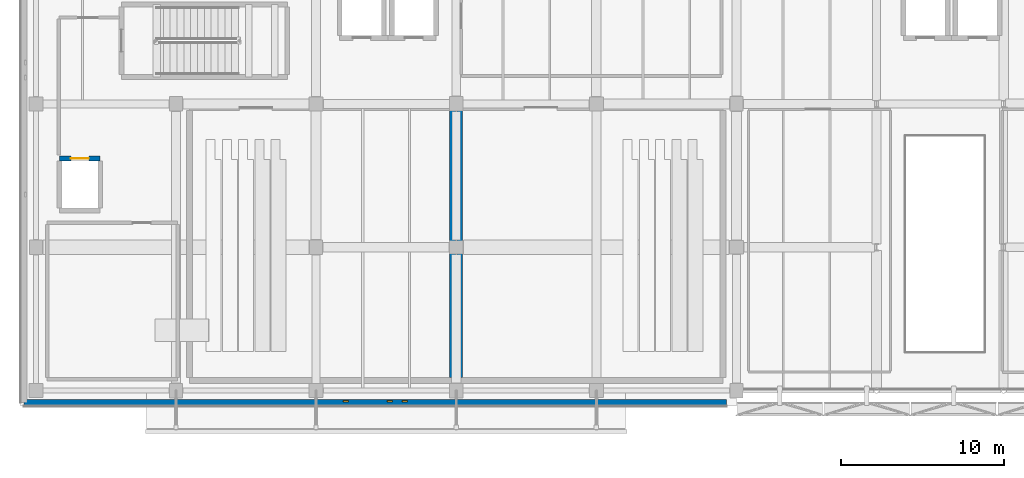
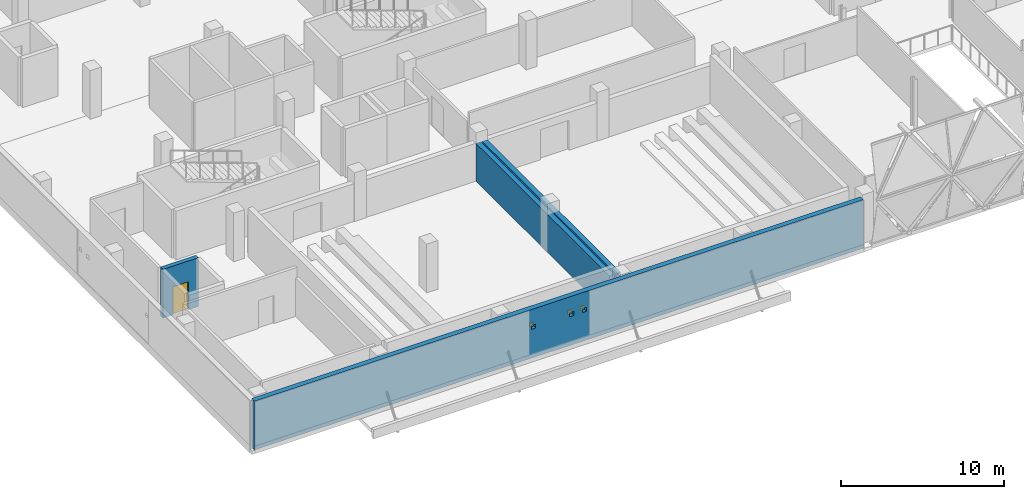
# One storey, part 58 of 80: 4 walls, 3 windows, 1 door, 4 openings.
"""IFC4 building model written with IfcOpenShell, lengths in metres."""

from ifc_helpers import new_model, si_unit, direction, frame, frame_2d, origin, place, context, subcontext, project, spatial, rectangle, extrude, material, layer, layer_set, type_object, element, fill, save


model = new_model("IFC4")

# Units and contexts
model_context = context("Model", 3, precision=1e-05, world=origin(), true_north=direction((0.0, 1.0)))
body_context = subcontext(model_context, "Body", "Model", "MODEL_VIEW")
ifc_project = project(units=[si_unit("LENGTHUNIT", "METRE"), si_unit("AREAUNIT", "SQUARE_METRE"), si_unit("VOLUMEUNIT", "CUBIC_METRE"), si_unit("PLANEANGLEUNIT", "RADIAN"), si_unit("MASSUNIT", "GRAM", prefix="KILO")], contexts=[model_context])

# Site, building, storey
site_placement = place(None, origin())
site = spatial("IfcSite", under=ifc_project, at=site_placement, CompositionType="ELEMENT")
building_placement = place(site_placement, origin())
building = spatial("IfcBuilding", under=site, at=building_placement, Name="Varnakota Cinema and Media Centre", CompositionType="ELEMENT")
storey_placement = place(building_placement, frame((0.0, 0.0, 4.5)))
storey = spatial("IfcBuildingStorey", under=building, at=storey_placement, Name="L01", CompositionType="ELEMENT", Elevation=4.5)

# Wall, opening, door
ifc_material_1 = material(Name="Concrete M40", Category="concrete")
ifc_layer_1 = layer(ifc_material_1, 0.300048828125)
ifc_layer_set_1 = layer_set([ifc_layer_1], Name="Concrete M40")
wall_type_1 = type_object("IfcWallType", Name="W-CORE-300", PredefinedType="SHEAR", material=ifc_layer_set_1)
wall_1_placement = place(storey_placement, frame((1.449951171875, 14.25, 0.0), z_axis=(0.0, 0.0, 1.0), x_axis=(1.0, 0.0, 0.0)))
wall_1 = element("IfcWall", 1, at=wall_1_placement, inside=storey, type_object=wall_type_1, Name="L01 LSHAFT-LF-01-L01 N wall", PredefinedType="SHEAR", context=body_context, shape_type="SweptSolid", body=[
    extrude(rectangle(XDim=2.5, YDim=0.300048828125, at=frame_2d((1.25, 0.0))), origin(), (0.0, 0.0, 1.0), 3.64990234375),
])
opening_1_placement = place(wall_1_placement, frame((0.699951171875, 0.0, 0.0)))
opening_1 = element("IfcOpeningElement", 2, at=opening_1_placement, cuts=wall_1, Name="Opening LD-01", PredefinedType="OPENING", context=body_context, shape_type="SweptSolid", body=[
    extrude(rectangle(XDim=1.10009765625, YDim=2.10009765625, at=frame_2d((0.550048828125, 1.050048828125))), frame((0.0, 0.14990234375, 0.0), z_axis=(0.0, -1.0, 0.0), x_axis=(1.0, 0.0, 0.0)), (0.0, 0.0, 1.0), 0.300048828125),
])
ifc_material_2 = material(Name="Thermally broken anodised aluminium AW-6063", Category="aluminium")
door_type = type_object("IfcDoorType", Name="DR-LIFT-1100x2100", OperationType="SLIDING_TO_LEFT", PredefinedType="DOOR", material=ifc_material_2)
door_placement = place(opening_1_placement, origin())
door = element("IfcDoor", 3, at=door_placement, inside=storey, type_object=door_type, Name="L01 door LD-01", OperationType="SLIDING_TO_LEFT", OverallHeight=2.10009765625, OverallWidth=1.10009765625, PredefinedType="DOOR", context=body_context, shape_type="SweptSolid", body=[
    extrude(rectangle(XDim=1.10009765625, YDim=2.10009765625, at=frame_2d((0.550048828125, 1.050048828125))), frame((0.0, 0.02490234375, 0.0), z_axis=(0.0, -1.0, 0.0), x_axis=(1.0, 0.0, 0.0)), (0.0, 0.0, 1.0), 0.050048828125),
])
fill(opening_1, door)

# Wall, openings, windows
ifc_material_3 = material(Name="Pale Tandur limestone cladding", Category="masonry")
ifc_layer_2 = layer(ifc_material_3, 0.360107421875)
ifc_layer_set_2 = layer_set([ifc_layer_2], Name="Pale Tandur limestone cladding")
wall_type_2 = type_object("IfcWallType", Name="W-EXT-TANDUR-360", PredefinedType="SOLIDWALL", material=ifc_layer_set_2)
wall_2_placement = place(storey_placement, frame((42.39990234375, -0.739990234375, 0.0), z_axis=(0.0, 0.0, 1.0), x_axis=(-1.0, 0.0, 0.0)))
wall_2 = element("IfcWall", 4, at=wall_2_placement, inside=storey, type_object=wall_type_2, Name="L01 V4 pale Tandur stone monolith wall V4-S", PredefinedType="SOLIDWALL", context=body_context, shape_type="SweptSolid", body=[
    extrude(rectangle(XDim=43.139892578125, YDim=0.360107421875, at=frame_2d((21.56982421875, 0.0))), origin(), (0.0, 0.0, 1.0), 3.64990234375),
])
opening_2_placement = place(wall_2_placement, frame((19.6201171875, 0.0, 2.159912109375)))
opening_2 = element("IfcOpeningElement", 5, at=opening_2_placement, cuts=wall_2, Name="Opening WP14", PredefinedType="OPENING", context=body_context, shape_type="SweptSolid", body=[
    extrude(rectangle(XDim=0.300048828125, YDim=0.300048828125, at=frame_2d((0.14990234375, 0.14990234375))), frame((0.0, 0.18017578125, 0.0), z_axis=(0.0, -1.0, 0.0), x_axis=(1.0, 0.0, 0.0)), (0.0, 0.0, 1.0), 0.360107421875),
])
opening_3_placement = place(wall_2_placement, frame((20.52001953125, 0.0, 2.159912109375)))
opening_3 = element("IfcOpeningElement", 6, at=opening_3_placement, cuts=wall_2, Name="Opening WP14", PredefinedType="OPENING", context=body_context, shape_type="SweptSolid", body=[
    extrude(rectangle(XDim=0.300048828125, YDim=0.300048828125, at=frame_2d((0.14990234375, 0.14990234375))), frame((0.0, 0.18017578125, 0.0), z_axis=(0.0, -1.0, 0.0), x_axis=(1.0, 0.0, 0.0)), (0.0, 0.0, 1.0), 0.360107421875),
])
opening_4_placement = place(wall_2_placement, frame((23.219970703125, 0.0, 2.159912109375)))
opening_4 = element("IfcOpeningElement", 7, at=opening_4_placement, cuts=wall_2, Name="Opening WP14", PredefinedType="OPENING", context=body_context, shape_type="SweptSolid", body=[
    extrude(rectangle(XDim=0.300048828125, YDim=0.300048828125, at=frame_2d((0.14990234375, 0.14990234375))), frame((0.0, 0.18017578125, 0.0), z_axis=(0.0, -1.0, 0.0), x_axis=(1.0, 0.0, 0.0)), (0.0, 0.0, 1.0), 0.360107421875),
])
ifc_material_4 = material(Name="Laminated solar-control double glazing", Category="glass")
window_type = type_object("IfcWindowType", Name="WIN-PIERCE-14", PartitioningType="SINGLE_PANEL", PredefinedType="WINDOW", material=ifc_material_4)
window_1_placement = place(opening_2_placement, origin())
window_1 = element("IfcWindow", 8, at=window_1_placement, inside=storey, type_object=window_type, Name="L01 window WP14", OverallHeight=0.300048828125, OverallWidth=0.300048828125, PartitioningType="SINGLE_PANEL", PredefinedType="WINDOW", context=body_context, shape_type="SweptSolid", body=[
    extrude(rectangle(XDim=0.300048828125, YDim=0.300048828125, at=frame_2d((0.14990234375, 0.14990234375))), frame((0.0, -0.070068359375, 0.0), z_axis=(0.0, -1.0, 0.0), x_axis=(1.0, 0.0, 0.0)), (0.0, 0.0, 1.0), 0.06005859375),
])
fill(opening_2, window_1)
window_2_placement = place(opening_3_placement, origin())
window_2 = element("IfcWindow", 9, at=window_2_placement, inside=storey, type_object=window_type, Name="L01 window WP14", OverallHeight=0.300048828125, OverallWidth=0.300048828125, PartitioningType="SINGLE_PANEL", PredefinedType="WINDOW", context=body_context, shape_type="SweptSolid", body=[
    extrude(rectangle(XDim=0.300048828125, YDim=0.300048828125, at=frame_2d((0.14990234375, 0.14990234375))), frame((0.0, -0.070068359375, 0.0), z_axis=(0.0, -1.0, 0.0), x_axis=(1.0, 0.0, 0.0)), (0.0, 0.0, 1.0), 0.06005859375),
])
fill(opening_3, window_2)
window_3_placement = place(opening_4_placement, origin())
window_3 = element("IfcWindow", 10, at=window_3_placement, inside=storey, type_object=window_type, Name="L01 window WP14", OverallHeight=0.300048828125, OverallWidth=0.300048828125, PartitioningType="SINGLE_PANEL", PredefinedType="WINDOW", context=body_context, shape_type="SweptSolid", body=[
    extrude(rectangle(XDim=0.300048828125, YDim=0.300048828125, at=frame_2d((0.14990234375, 0.14990234375))), frame((0.0, -0.070068359375, 0.0), z_axis=(0.0, -1.0, 0.0), x_axis=(1.0, 0.0, 0.0)), (0.0, 0.0, 1.0), 0.06005859375),
])
fill(opening_4, window_3)

# Walls
ifc_material_5 = material(Name="Concrete M40", Category="concrete")
ifc_layer_3 = layer(ifc_material_5, 0.35009765625)
ifc_layer_set_3 = layer_set([ifc_layer_3], Name="Concrete M40")
wall_type_3 = type_object("IfcWallType", Name="W-SEP-350", PredefinedType="SOLIDWALL", material=ifc_layer_set_3)
for number, where, z_axis, x_axis, name in (
    (11, (25.574951171875, 17.199951171875, 0.0), (0.0, 0.0, 1.0), (0.0, -1.0, 0.0), "L01 RWALL-RM-L01-SCR2 E wall"),
    (12, (26.02490234375, 0.800048828125, 0.0), (0.0, 0.0, 1.0), (0.0, 1.0, 0.0), "L01 RWALL-RM-L01-SCR3 W wall"),
):
    element("IfcWall", number, at=place(storey_placement, frame(where, z_axis=z_axis, x_axis=x_axis)), inside=storey, type_object=wall_type_3, Name=name, PredefinedType="SOLIDWALL", context=body_context, shape_type="SweptSolid", body=[
        extrude(rectangle(XDim=16.39990234375, YDim=0.35009765625, at=frame_2d((8.199951171875, 0.0))), origin(), (0.0, 0.0, 1.0), 2.830078125),
    ])

save(model, "model.ifc")
